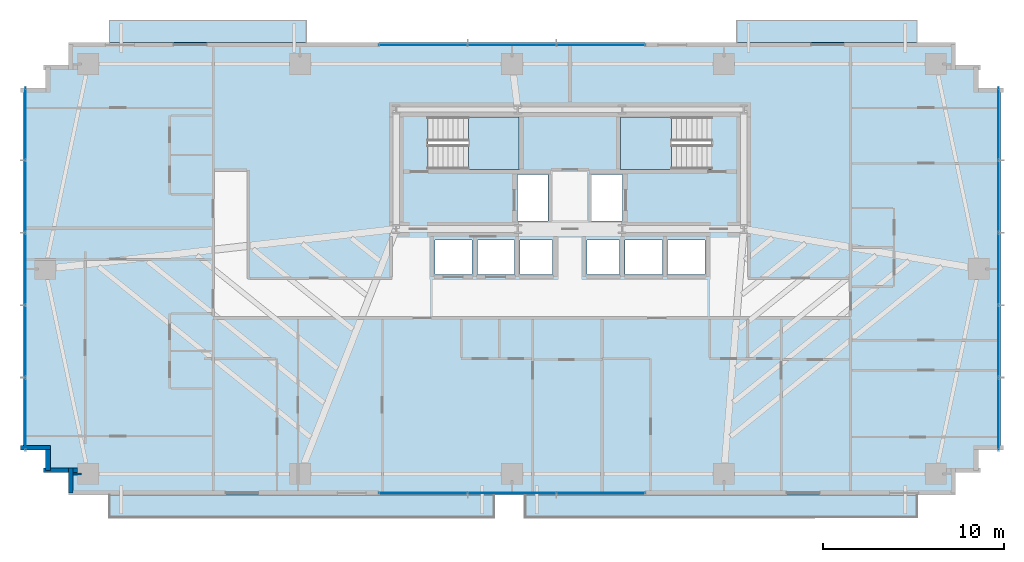
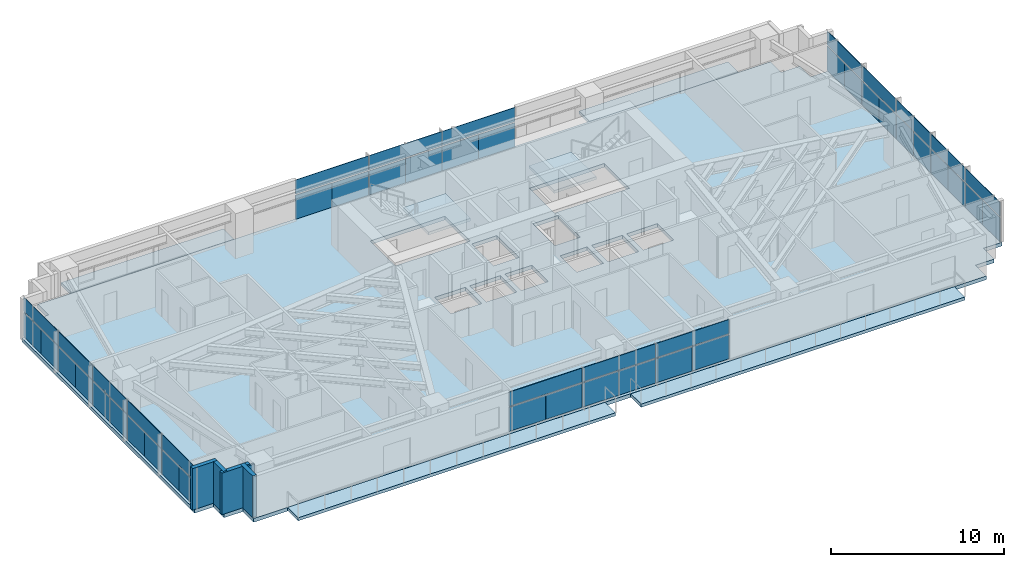
# One storey, part 18 of 25: 48 plates, 7 slabs, 5 walls, 6 elements without a shape of their own.
"""IFC4 building model written with IfcOpenShell, lengths in metres."""

from ifc_helpers import new_model, si_unit, direction, frame, frame_2d, origin, origin_2d, place, context, subcontext, project, spatial, polyline, rectangle, outline, extrude, source, transform, mapped, material, layer, layer_set, type_object, type_shapes, element, aggregate, save


model = new_model("IFC4")

# Units and contexts
model_context = context("Model", 3, precision=1e-05, world=origin(), true_north=direction((0.0, 1.0)))
body_context = subcontext(model_context, "Body", "Model", "MODEL_VIEW")
ifc_project = project(units=[si_unit("LENGTHUNIT", "METRE"), si_unit("AREAUNIT", "SQUARE_METRE"), si_unit("VOLUMEUNIT", "CUBIC_METRE"), si_unit("PLANEANGLEUNIT", "RADIAN"), si_unit("MASSUNIT", "GRAM", prefix="KILO")], contexts=[model_context])

# Site, building, storey
site_placement = place(None, origin())
site = spatial("IfcSite", under=ifc_project, at=site_placement, CompositionType="ELEMENT")
building_placement = place(site_placement, origin())
building = spatial("IfcBuilding", under=site, at=building_placement, Name="Astriad Promenade Condominiums", CompositionType="ELEMENT")
storey_placement = place(building_placement, frame((0.0, 0.0, 39.0)))
storey = spatial("IfcBuildingStorey", under=building, at=storey_placement, Name="L10", CompositionType="ELEMENT", Elevation=39.0)

# Slab
ifc_material_1 = material(Name="Concrete C50/60", Category="concrete")
ifc_layer_1 = layer(ifc_material_1, 0.260009765625)
ifc_layer_set_1 = layer_set([ifc_layer_1], Name="Concrete C50/60")
slab_type_1 = type_object("IfcSlabType", Name="CONCRETE TOWER FLOOR SLAB 260", PredefinedType="FLOOR", material=ifc_layer_set_1)
slab_1_placement = place(storey_placement, frame((0.0, 0.0, -0.260009765625)))
element("IfcSlab", 1, at=slab_1_placement, inside=storey, type_object=slab_type_1, Name="Structural Floor Slab (L10)", PredefinedType="FLOOR", context=body_context, shape_type="SweptSolid", body=[
    extrude(outline(polyline([(8.300048828125, 2.699951171875), (57.300048828125, 2.699951171875), (57.300048828125, 3.949951171875), (58.550048828125, 3.949951171875), (58.550048828125, 5.199951171875), (59.800048828125, 5.199951171875), (59.800048828125, 25.199951171875), (58.550048828125, 25.199951171875), (58.550048828125, 26.449951171875), (57.300048828125, 26.449951171875), (57.300048828125, 27.699951171875), (8.300048828125, 27.699951171875), (8.300048828125, 26.449951171875), (7.050048828125, 26.449951171875), (7.050048828125, 25.199951171875), (5.800048828125, 25.199951171875), (5.800048828125, 5.199951171875), (7.050048828125, 5.199951171875), (7.050048828125, 3.949951171875), (8.300048828125, 3.949951171875), (8.300048828125, 2.699951171875)]), holes=[polyline([(28.175048828125, 20.699951171875), (33.175048828125, 20.699951171875), (33.175048828125, 23.60009765625), (28.175048828125, 23.60009765625), (28.175048828125, 20.699951171875)]), polyline([(38.824951171875, 20.699951171875), (43.824951171875, 20.699951171875), (43.824951171875, 23.60009765625), (38.824951171875, 23.60009765625), (38.824951171875, 20.699951171875)]), polyline([(33.10009765625, 17.85009765625), (34.800048828125, 17.85009765625), (34.800048828125, 20.39990234375), (33.10009765625, 20.39990234375), (33.10009765625, 17.85009765625)]), polyline([(37.199951171875, 17.85009765625), (38.89990234375, 17.85009765625), (38.89990234375, 20.39990234375), (37.199951171875, 20.39990234375), (37.199951171875, 17.85009765625)]), polyline([(28.550048828125, 14.89990234375), (30.60009765625, 14.89990234375), (30.60009765625, 16.800048828125), (28.550048828125, 16.800048828125), (28.550048828125, 14.89990234375)]), polyline([(30.89990234375, 14.89990234375), (32.949951171875, 14.89990234375), (32.949951171875, 16.800048828125), (30.89990234375, 16.800048828125), (30.89990234375, 14.89990234375)]), polyline([(33.25, 14.89990234375), (35.050048828125, 14.89990234375), (35.050048828125, 16.800048828125), (33.25, 16.800048828125), (33.25, 14.89990234375)]), polyline([(36.949951171875, 14.89990234375), (38.75, 14.89990234375), (38.75, 16.800048828125), (36.949951171875, 16.800048828125), (36.949951171875, 14.89990234375)]), polyline([(39.050048828125, 14.89990234375), (41.10009765625, 14.89990234375), (41.10009765625, 16.800048828125), (39.050048828125, 16.800048828125), (39.050048828125, 14.89990234375)]), polyline([(41.39990234375, 14.89990234375), (43.449951171875, 14.89990234375), (43.449951171875, 16.800048828125), (41.39990234375, 16.800048828125), (41.39990234375, 14.89990234375)])]), origin(), (0.0, 0.0, 1.0), 0.260009765625),
])

# Stair, slab
stair_type = type_object("IfcStairType", Name="STR-CORE-1350", PredefinedType="HALF_TURN_STAIR", material=ifc_material_1)
stair_1_placement = place(storey_placement, origin())
stair_1 = element("IfcStair", 2, at=stair_1_placement, inside=storey, type_object=stair_type, Name="L10 Enclosed Core Exit Stair ST-1", PredefinedType="HALF_TURN_STAIR")
ifc_layer_2 = layer(ifc_material_1, 0.219970703125)
ifc_layer_set_2 = layer_set([ifc_layer_2], Name="Concrete C50/60")
slab_type_2 = type_object("IfcSlabType", Name="SLB-LANDING-220", PredefinedType="LANDING", material=ifc_layer_set_2)
slab_2_placement = place(storey_placement, frame((0.0, 0.0, 1.39990234375)))
slab_2 = element("IfcSlab", 3, at=slab_2_placement, type_object=slab_type_2, Name="ST-1 landing 1", PredefinedType="LANDING", context=body_context, shape_type="SweptSolid", body=[
    extrude(outline(polyline([(30.389892578125, 20.699951171875), (33.199951171875, 20.699951171875), (33.199951171875, 23.60009765625), (30.389892578125, 23.60009765625), (30.389892578125, 20.699951171875)])), origin(), (0.0, 0.0, 1.0), 0.2001953125),
])
aggregate(stair_1, [slab_2])

stair_2_placement = place(storey_placement, origin())
stair_2 = element("IfcStair", 4, at=stair_2_placement, inside=storey, type_object=stair_type, Name="L10 Enclosed Core Exit Stair ST-2", PredefinedType="HALF_TURN_STAIR")
slab_3_placement = place(storey_placement, frame((0.0, 0.0, 1.39990234375)))
slab_3 = element("IfcSlab", 5, at=slab_3_placement, type_object=slab_type_2, Name="ST-2 landing 1", PredefinedType="LANDING", context=body_context, shape_type="SweptSolid", body=[
    extrude(outline(polyline([(41.610107421875, 23.60009765625), (38.800048828125, 23.60009765625), (38.800048828125, 20.699951171875), (41.610107421875, 20.699951171875), (41.610107421875, 23.60009765625)])), origin(), (0.0, 0.0, 1.0), 0.2001953125),
])
aggregate(stair_2, [slab_3])

# Slabs
ifc_material_2 = material(Name="Precast concrete C50/60", Category="concrete")
ifc_layer_3 = layer(ifc_material_2, 0.219970703125)
ifc_layer_set_3 = layer_set([ifc_layer_3], Name="Precast concrete C50/60")
slab_type_3 = type_object("IfcSlabType", Name="WHITE PRECAST CONCRETE WAVE BALCONY SLAB 220", PredefinedType="FLOOR", material=ifc_layer_set_3)
slab_4_placement = place(storey_placement, frame((0.0, 0.0, -0.219970703125)))
element("IfcSlab", 6, at=slab_4_placement, inside=storey, type_object=slab_type_3, Name="White Precast Wave Balcony Slab BAL-L10-SW", PredefinedType="FLOOR", context=body_context, shape_type="SweptSolid", body=[
    extrude(outline(polyline([(31.805908203125, 1.47998046875), (10.572998046875, 1.47998046875), (10.572998046875, 2.697998046875), (31.805908203125, 2.697998046875), (31.805908203125, 1.47998046875)])), origin(), (0.0, 0.0, 1.0), 0.219970703125),
])
slab_5_placement = place(storey_placement, frame((0.0, 0.0, -0.219970703125)))
element("IfcSlab", 7, at=slab_5_placement, inside=storey, type_object=slab_type_3, Name="White Precast Wave Balcony Slab BAL-L10-SE", PredefinedType="FLOOR", context=body_context, shape_type="SweptSolid", body=[
    extrude(outline(polyline([(55.1640625, 1.47998046875), (33.52197265625, 1.47998046875), (33.52197265625, 2.697998046875), (55.1640625, 2.697998046875), (55.1640625, 1.47998046875)])), origin(), (0.0, 0.0, 1.0), 0.219970703125),
])
slab_6_placement = place(storey_placement, frame((0.0, 0.0, -0.219970703125)))
element("IfcSlab", 8, at=slab_6_placement, inside=storey, type_object=slab_type_3, Name="White Precast Wave Balcony Slab BAL-L10-NW", PredefinedType="FLOOR", context=body_context, shape_type="SweptSolid", body=[
    extrude(outline(polyline([(10.572998046875, 28.919921875), (21.429931640625, 28.919921875), (21.429931640625, 27.701904296875), (10.572998046875, 27.701904296875), (10.572998046875, 28.919921875)])), origin(), (0.0, 0.0, 1.0), 0.219970703125),
])
slab_7_placement = place(storey_placement, frame((0.0, 0.0, -0.219970703125)))
element("IfcSlab", 9, at=slab_7_placement, inside=storey, type_object=slab_type_3, Name="White Precast Wave Balcony Slab BAL-L10-NE", PredefinedType="FLOOR", context=body_context, shape_type="SweptSolid", body=[
    extrude(outline(polyline([(45.2099609375, 28.919921875), (55.1640625, 28.919921875), (55.1640625, 27.701904296875), (45.2099609375, 27.701904296875), (45.2099609375, 28.919921875)])), origin(), (0.0, 0.0, 1.0), 0.219970703125),
])

# Curtain wall, plates
ifc_material_3 = material(Name="Anodised aluminium Black Dark Glass Unitised", Category="aluminium")
curtain_wall_type = type_object("IfcCurtainWallType", Name="CW-B1-DARK", PredefinedType="USERDEFINED", material=ifc_material_3)
curtain_wall_1_placement = place(storey_placement, origin())
curtain_wall_1 = element("IfcCurtainWall", 10, at=curtain_wall_1_placement, inside=storey, type_object=curtain_wall_type, Name="CW-L10-W", ObjectType="UNITISED_CURTAIN_WALL", PredefinedType="USERDEFINED")
ifc_material_4 = material(Name="Dark Tinted Low-E Laminated Glass", Category="glass")
ifc_layer_4 = layer(ifc_material_4, 0.035888671875)
ifc_layer_set_4 = layer_set([ifc_layer_4], Name="Dark Tinted Low-E Laminated Glass")
plate_type = type_object("IfcPlateType", Name="PNL-DARK-GLASS-36", PredefinedType="CURTAIN_PANEL", material=ifc_layer_set_4)
shared_shape_1 = source(origin(), body_context, "Body", "SweptSolid", [
    extrude(rectangle(XDim=1.988037109375, YDim=0.035888671875, at=origin_2d()), origin(), (0.0, 0.0, 1.0), 1.702880859375),
])
plate_1_placement = place(storey_placement, frame((5.929931640625, 6.199951171875, 0.080078125), z_axis=(0.0, 0.0, 1.0), x_axis=(0.0, 1.0, 0.0)))
plate_1 = element("IfcPlate", 11, at=plate_1_placement, type_object=plate_type, Name="CW-L10-W-PNL-00-VL", PredefinedType="CURTAIN_PANEL", context=body_context, shape_type="MappedRepresentation", body=[
    mapped(shared_shape_1, transform((0.0, 0.0, 0.0), scale=1.0)),
])
plate_2_placement = place(storey_placement, frame((5.929931640625, 8.199951171875, 0.080078125), z_axis=(0.0, 0.0, 1.0), x_axis=(0.0, 1.0, 0.0)))
plate_2 = element("IfcPlate", 12, at=plate_2_placement, type_object=plate_type, Name="CW-L10-W-PNL-00-VR", PredefinedType="CURTAIN_PANEL", context=body_context, shape_type="MappedRepresentation", body=[
    mapped(shared_shape_1, transform((0.0, 0.0, 0.0), scale=1.0)),
])
plate_3_placement = place(storey_placement, frame((5.929931640625, 10.199951171875, 0.080078125), z_axis=(0.0, 0.0, 1.0), x_axis=(0.0, 1.0, 0.0)))
plate_3 = element("IfcPlate", 13, at=plate_3_placement, type_object=plate_type, Name="CW-L10-W-PNL-01-VL", PredefinedType="CURTAIN_PANEL", context=body_context, shape_type="MappedRepresentation", body=[
    mapped(shared_shape_1, transform((0.0, 0.0, 0.0), scale=1.0)),
])
plate_4_placement = place(storey_placement, frame((5.929931640625, 12.199951171875, 0.080078125), z_axis=(0.0, 0.0, 1.0), x_axis=(0.0, 1.0, 0.0)))
plate_4 = element("IfcPlate", 14, at=plate_4_placement, type_object=plate_type, Name="CW-L10-W-PNL-01-VR", PredefinedType="CURTAIN_PANEL", context=body_context, shape_type="MappedRepresentation", body=[
    mapped(shared_shape_1, transform((0.0, 0.0, 0.0), scale=1.0)),
])
plate_5_placement = place(storey_placement, frame((5.929931640625, 14.199951171875, 0.080078125), z_axis=(0.0, 0.0, 1.0), x_axis=(0.0, 1.0, 0.0)))
plate_5 = element("IfcPlate", 15, at=plate_5_placement, type_object=plate_type, Name="CW-L10-W-PNL-02-VL", PredefinedType="CURTAIN_PANEL", context=body_context, shape_type="MappedRepresentation", body=[
    mapped(shared_shape_1, transform((0.0, 0.0, 0.0), scale=1.0)),
])
plate_6_placement = place(storey_placement, frame((5.929931640625, 16.199951171875, 0.080078125), z_axis=(0.0, 0.0, 1.0), x_axis=(0.0, 1.0, 0.0)))
plate_6 = element("IfcPlate", 16, at=plate_6_placement, type_object=plate_type, Name="CW-L10-W-PNL-02-VR", PredefinedType="CURTAIN_PANEL", context=body_context, shape_type="MappedRepresentation", body=[
    mapped(shared_shape_1, transform((0.0, 0.0, 0.0), scale=1.0)),
])
plate_7_placement = place(storey_placement, frame((5.929931640625, 18.199951171875, 0.080078125), z_axis=(0.0, 0.0, 1.0), x_axis=(0.0, 1.0, 0.0)))
plate_7 = element("IfcPlate", 17, at=plate_7_placement, type_object=plate_type, Name="CW-L10-W-PNL-03-VL", PredefinedType="CURTAIN_PANEL", context=body_context, shape_type="MappedRepresentation", body=[
    mapped(shared_shape_1, transform((0.0, 0.0, 0.0), scale=1.0)),
])
plate_8_placement = place(storey_placement, frame((5.929931640625, 20.199951171875, 0.080078125), z_axis=(0.0, 0.0, 1.0), x_axis=(0.0, 1.0, 0.0)))
plate_8 = element("IfcPlate", 18, at=plate_8_placement, type_object=plate_type, Name="CW-L10-W-PNL-03-VR", PredefinedType="CURTAIN_PANEL", context=body_context, shape_type="MappedRepresentation", body=[
    mapped(shared_shape_1, transform((0.0, 0.0, 0.0), scale=1.0)),
])
plate_9_placement = place(storey_placement, frame((5.929931640625, 22.199951171875, 0.080078125), z_axis=(0.0, 0.0, 1.0), x_axis=(0.0, 1.0, 0.0)))
plate_9 = element("IfcPlate", 19, at=plate_9_placement, type_object=plate_type, Name="CW-L10-W-PNL-04-VL", PredefinedType="CURTAIN_PANEL", context=body_context, shape_type="MappedRepresentation", body=[
    mapped(shared_shape_1, transform((0.0, 0.0, 0.0), scale=1.0)),
])
plate_10_placement = place(storey_placement, frame((5.929931640625, 24.199951171875, 0.080078125), z_axis=(0.0, 0.0, 1.0), x_axis=(0.0, 1.0, 0.0)))
plate_10 = element("IfcPlate", 20, at=plate_10_placement, type_object=plate_type, Name="CW-L10-W-PNL-04-VR", PredefinedType="CURTAIN_PANEL", context=body_context, shape_type="MappedRepresentation", body=[
    mapped(shared_shape_1, transform((0.0, 0.0, 0.0), scale=1.0)),
])

curtain_wall_2_placement = place(storey_placement, origin())
curtain_wall_2 = element("IfcCurtainWall", 21, at=curtain_wall_2_placement, inside=storey, type_object=curtain_wall_type, Name="CW-L10-E", ObjectType="UNITISED_CURTAIN_WALL", PredefinedType="USERDEFINED")
plate_11_placement = place(storey_placement, frame((59.669921875, 24.199951171875, 0.080078125), z_axis=(0.0, 0.0, 1.0), x_axis=(0.0, -1.0, 0.0)))
plate_11 = element("IfcPlate", 22, at=plate_11_placement, type_object=plate_type, Name="CW-L10-E-PNL-00-VL", PredefinedType="CURTAIN_PANEL", context=body_context, shape_type="MappedRepresentation", body=[
    mapped(shared_shape_1, transform((0.0, 0.0, 0.0), scale=1.0)),
])
plate_12_placement = place(storey_placement, frame((59.669921875, 22.199951171875, 0.080078125), z_axis=(0.0, 0.0, 1.0), x_axis=(0.0, -1.0, 0.0)))
plate_12 = element("IfcPlate", 23, at=plate_12_placement, type_object=plate_type, Name="CW-L10-E-PNL-00-VR", PredefinedType="CURTAIN_PANEL", context=body_context, shape_type="MappedRepresentation", body=[
    mapped(shared_shape_1, transform((0.0, 0.0, 0.0), scale=1.0)),
])
plate_13_placement = place(storey_placement, frame((59.669921875, 20.199951171875, 0.080078125), z_axis=(0.0, 0.0, 1.0), x_axis=(0.0, -1.0, 0.0)))
plate_13 = element("IfcPlate", 24, at=plate_13_placement, type_object=plate_type, Name="CW-L10-E-PNL-01-VL", PredefinedType="CURTAIN_PANEL", context=body_context, shape_type="MappedRepresentation", body=[
    mapped(shared_shape_1, transform((0.0, 0.0, 0.0), scale=1.0)),
])
plate_14_placement = place(storey_placement, frame((59.669921875, 18.199951171875, 0.080078125), z_axis=(0.0, 0.0, 1.0), x_axis=(0.0, -1.0, 0.0)))
plate_14 = element("IfcPlate", 25, at=plate_14_placement, type_object=plate_type, Name="CW-L10-E-PNL-01-VR", PredefinedType="CURTAIN_PANEL", context=body_context, shape_type="MappedRepresentation", body=[
    mapped(shared_shape_1, transform((0.0, 0.0, 0.0), scale=1.0)),
])
plate_15_placement = place(storey_placement, frame((59.669921875, 16.199951171875, 0.080078125), z_axis=(0.0, 0.0, 1.0), x_axis=(0.0, -1.0, 0.0)))
plate_15 = element("IfcPlate", 26, at=plate_15_placement, type_object=plate_type, Name="CW-L10-E-PNL-02-VL", PredefinedType="CURTAIN_PANEL", context=body_context, shape_type="MappedRepresentation", body=[
    mapped(shared_shape_1, transform((0.0, 0.0, 0.0), scale=1.0)),
])
plate_16_placement = place(storey_placement, frame((59.669921875, 14.199951171875, 0.080078125), z_axis=(0.0, 0.0, 1.0), x_axis=(0.0, -1.0, 0.0)))
plate_16 = element("IfcPlate", 27, at=plate_16_placement, type_object=plate_type, Name="CW-L10-E-PNL-02-VR", PredefinedType="CURTAIN_PANEL", context=body_context, shape_type="MappedRepresentation", body=[
    mapped(shared_shape_1, transform((0.0, 0.0, 0.0), scale=1.0)),
])
plate_17_placement = place(storey_placement, frame((59.669921875, 12.199951171875, 0.080078125), z_axis=(0.0, 0.0, 1.0), x_axis=(0.0, -1.0, 0.0)))
plate_17 = element("IfcPlate", 28, at=plate_17_placement, type_object=plate_type, Name="CW-L10-E-PNL-03-VL", PredefinedType="CURTAIN_PANEL", context=body_context, shape_type="MappedRepresentation", body=[
    mapped(shared_shape_1, transform((0.0, 0.0, 0.0), scale=1.0)),
])
plate_18_placement = place(storey_placement, frame((59.669921875, 10.199951171875, 0.080078125), z_axis=(0.0, 0.0, 1.0), x_axis=(0.0, -1.0, 0.0)))
plate_18 = element("IfcPlate", 29, at=plate_18_placement, type_object=plate_type, Name="CW-L10-E-PNL-03-VR", PredefinedType="CURTAIN_PANEL", context=body_context, shape_type="MappedRepresentation", body=[
    mapped(shared_shape_1, transform((0.0, 0.0, 0.0), scale=1.0)),
])
plate_19_placement = place(storey_placement, frame((59.669921875, 8.199951171875, 0.080078125), z_axis=(0.0, 0.0, 1.0), x_axis=(0.0, -1.0, 0.0)))
plate_19 = element("IfcPlate", 30, at=plate_19_placement, type_object=plate_type, Name="CW-L10-E-PNL-04-VL", PredefinedType="CURTAIN_PANEL", context=body_context, shape_type="MappedRepresentation", body=[
    mapped(shared_shape_1, transform((0.0, 0.0, 0.0), scale=1.0)),
])
plate_20_placement = place(storey_placement, frame((59.669921875, 6.199951171875, 0.080078125), z_axis=(0.0, 0.0, 1.0), x_axis=(0.0, -1.0, 0.0)))
plate_20 = element("IfcPlate", 31, at=plate_20_placement, type_object=plate_type, Name="CW-L10-E-PNL-04-VR", PredefinedType="CURTAIN_PANEL", context=body_context, shape_type="MappedRepresentation", body=[
    mapped(shared_shape_1, transform((0.0, 0.0, 0.0), scale=1.0)),
])

# Plate
shared_shape_2 = source(origin(), body_context, "Body", "SweptSolid", [
    extrude(rectangle(XDim=3.988037109375, YDim=0.035888671875, at=origin_2d()), origin(), (0.0, 0.0, 1.0), 0.997314453125),
])
plate_21_placement = place(storey_placement, frame((5.929931640625, 7.199951171875, 1.86279296875), z_axis=(0.0, 0.0, 1.0), x_axis=(0.0, 1.0, 0.0)))
plate_21 = element("IfcPlate", 32, at=plate_21_placement, type_object=plate_type, Name="CW-L10-W-PNL-00-S", PredefinedType="CURTAIN_PANEL", context=body_context, shape_type="MappedRepresentation", body=[
    mapped(shared_shape_2, transform((0.0, 0.0, 0.0), scale=1.0)),
])

plate_22_placement = place(storey_placement, frame((5.929931640625, 11.199951171875, 1.86279296875), z_axis=(0.0, 0.0, 1.0), x_axis=(0.0, 1.0, 0.0)))
plate_22 = element("IfcPlate", 33, at=plate_22_placement, type_object=plate_type, Name="CW-L10-W-PNL-01-S", PredefinedType="CURTAIN_PANEL", context=body_context, shape_type="MappedRepresentation", body=[
    mapped(shared_shape_2, transform((0.0, 0.0, 0.0), scale=1.0)),
])

plate_23_placement = place(storey_placement, frame((5.929931640625, 15.199951171875, 1.86279296875), z_axis=(0.0, 0.0, 1.0), x_axis=(0.0, 1.0, 0.0)))
plate_23 = element("IfcPlate", 34, at=plate_23_placement, type_object=plate_type, Name="CW-L10-W-PNL-02-S", PredefinedType="CURTAIN_PANEL", context=body_context, shape_type="MappedRepresentation", body=[
    mapped(shared_shape_2, transform((0.0, 0.0, 0.0), scale=1.0)),
])

plate_24_placement = place(storey_placement, frame((5.929931640625, 19.199951171875, 1.86279296875), z_axis=(0.0, 0.0, 1.0), x_axis=(0.0, 1.0, 0.0)))
plate_24 = element("IfcPlate", 35, at=plate_24_placement, type_object=plate_type, Name="CW-L10-W-PNL-03-S", PredefinedType="CURTAIN_PANEL", context=body_context, shape_type="MappedRepresentation", body=[
    mapped(shared_shape_2, transform((0.0, 0.0, 0.0), scale=1.0)),
])

plate_25_placement = place(storey_placement, frame((5.929931640625, 23.199951171875, 1.86279296875), z_axis=(0.0, 0.0, 1.0), x_axis=(0.0, 1.0, 0.0)))
plate_25 = element("IfcPlate", 36, at=plate_25_placement, type_object=plate_type, Name="CW-L10-W-PNL-04-S", PredefinedType="CURTAIN_PANEL", context=body_context, shape_type="MappedRepresentation", body=[
    mapped(shared_shape_2, transform((0.0, 0.0, 0.0), scale=1.0)),
])

aggregate(curtain_wall_1, [plate_1, plate_2, plate_21, plate_3, plate_4, plate_22, plate_5, plate_6, plate_23, plate_7, plate_8, plate_24, plate_9, plate_10, plate_25])

plate_26_placement = place(storey_placement, frame((59.669921875, 23.199951171875, 1.86279296875), z_axis=(0.0, 0.0, 1.0), x_axis=(0.0, -1.0, 0.0)))
plate_26 = element("IfcPlate", 37, at=plate_26_placement, type_object=plate_type, Name="CW-L10-E-PNL-00-S", PredefinedType="CURTAIN_PANEL", context=body_context, shape_type="MappedRepresentation", body=[
    mapped(shared_shape_2, transform((0.0, 0.0, 0.0), scale=1.0)),
])

plate_27_placement = place(storey_placement, frame((59.669921875, 19.199951171875, 1.86279296875), z_axis=(0.0, 0.0, 1.0), x_axis=(0.0, -1.0, 0.0)))
plate_27 = element("IfcPlate", 38, at=plate_27_placement, type_object=plate_type, Name="CW-L10-E-PNL-01-S", PredefinedType="CURTAIN_PANEL", context=body_context, shape_type="MappedRepresentation", body=[
    mapped(shared_shape_2, transform((0.0, 0.0, 0.0), scale=1.0)),
])

plate_28_placement = place(storey_placement, frame((59.669921875, 15.199951171875, 1.86279296875), z_axis=(0.0, 0.0, 1.0), x_axis=(0.0, -1.0, 0.0)))
plate_28 = element("IfcPlate", 39, at=plate_28_placement, type_object=plate_type, Name="CW-L10-E-PNL-02-S", PredefinedType="CURTAIN_PANEL", context=body_context, shape_type="MappedRepresentation", body=[
    mapped(shared_shape_2, transform((0.0, 0.0, 0.0), scale=1.0)),
])

plate_29_placement = place(storey_placement, frame((59.669921875, 11.199951171875, 1.86279296875), z_axis=(0.0, 0.0, 1.0), x_axis=(0.0, -1.0, 0.0)))
plate_29 = element("IfcPlate", 40, at=plate_29_placement, type_object=plate_type, Name="CW-L10-E-PNL-03-S", PredefinedType="CURTAIN_PANEL", context=body_context, shape_type="MappedRepresentation", body=[
    mapped(shared_shape_2, transform((0.0, 0.0, 0.0), scale=1.0)),
])

plate_30_placement = place(storey_placement, frame((59.669921875, 7.199951171875, 1.86279296875), z_axis=(0.0, 0.0, 1.0), x_axis=(0.0, -1.0, 0.0)))
plate_30 = element("IfcPlate", 41, at=plate_30_placement, type_object=plate_type, Name="CW-L10-E-PNL-04-S", PredefinedType="CURTAIN_PANEL", context=body_context, shape_type="MappedRepresentation", body=[
    mapped(shared_shape_2, transform((0.0, 0.0, 0.0), scale=1.0)),
])

aggregate(curtain_wall_2, [plate_11, plate_12, plate_26, plate_13, plate_14, plate_27, plate_15, plate_16, plate_28, plate_17, plate_18, plate_29, plate_19, plate_20, plate_30])

# Curtain wall, plates
curtain_wall_3_placement = place(storey_placement, origin())
curtain_wall_3 = element("IfcCurtainWall", 42, at=curtain_wall_3_placement, inside=storey, type_object=curtain_wall_type, Name="CW-L10-N", ObjectType="UNITISED_CURTAIN_WALL", PredefinedType="USERDEFINED")
shared_shape_3 = source(origin(), body_context, "Body", "SweptSolid", [
    extrude(rectangle(XDim=2.43798828125, YDim=0.035888671875, at=origin_2d()), origin(), (0.0, 0.0, 1.0), 1.702880859375),
])
plate_31_placement = place(storey_placement, frame((26.675048828125, 27.570068359375, 0.080078125), z_axis=(0.0, 0.0, 1.0), x_axis=(1.0, 0.0, 0.0)))
plate_31 = element("IfcPlate", 43, at=plate_31_placement, type_object=plate_type, Name="CW-L10-N-PNL-00-VL", PredefinedType="CURTAIN_PANEL", context=body_context, shape_type="MappedRepresentation", body=[
    mapped(shared_shape_3, transform((0.0, 0.0, 0.0), scale=1.0)),
])
plate_32_placement = place(storey_placement, frame((29.125, 27.570068359375, 0.080078125), z_axis=(0.0, 0.0, 1.0), x_axis=(1.0, 0.0, 0.0)))
plate_32 = element("IfcPlate", 44, at=plate_32_placement, type_object=plate_type, Name="CW-L10-N-PNL-00-VR", PredefinedType="CURTAIN_PANEL", context=body_context, shape_type="MappedRepresentation", body=[
    mapped(shared_shape_3, transform((0.0, 0.0, 0.0), scale=1.0)),
])
plate_33_placement = place(storey_placement, frame((31.574951171875, 27.570068359375, 0.080078125), z_axis=(0.0, 0.0, 1.0), x_axis=(1.0, 0.0, 0.0)))
plate_33 = element("IfcPlate", 45, at=plate_33_placement, type_object=plate_type, Name="CW-L10-N-PNL-01-VL", PredefinedType="CURTAIN_PANEL", context=body_context, shape_type="MappedRepresentation", body=[
    mapped(shared_shape_3, transform((0.0, 0.0, 0.0), scale=1.0)),
])
plate_34_placement = place(storey_placement, frame((34.02490234375, 27.570068359375, 0.080078125), z_axis=(0.0, 0.0, 1.0), x_axis=(1.0, 0.0, 0.0)))
plate_34 = element("IfcPlate", 46, at=plate_34_placement, type_object=plate_type, Name="CW-L10-N-PNL-01-VR", PredefinedType="CURTAIN_PANEL", context=body_context, shape_type="MappedRepresentation", body=[
    mapped(shared_shape_3, transform((0.0, 0.0, 0.0), scale=1.0)),
])
plate_35_placement = place(storey_placement, frame((36.47509765625, 27.570068359375, 0.080078125), z_axis=(0.0, 0.0, 1.0), x_axis=(1.0, 0.0, 0.0)))
plate_35 = element("IfcPlate", 47, at=plate_35_placement, type_object=plate_type, Name="CW-L10-N-PNL-02-VL", PredefinedType="CURTAIN_PANEL", context=body_context, shape_type="MappedRepresentation", body=[
    mapped(shared_shape_3, transform((0.0, 0.0, 0.0), scale=1.0)),
])
plate_36_placement = place(storey_placement, frame((38.925048828125, 27.570068359375, 0.080078125), z_axis=(0.0, 0.0, 1.0), x_axis=(1.0, 0.0, 0.0)))
plate_36 = element("IfcPlate", 48, at=plate_36_placement, type_object=plate_type, Name="CW-L10-N-PNL-02-VR", PredefinedType="CURTAIN_PANEL", context=body_context, shape_type="MappedRepresentation", body=[
    mapped(shared_shape_3, transform((0.0, 0.0, 0.0), scale=1.0)),
])

curtain_wall_4_placement = place(storey_placement, origin())
curtain_wall_4 = element("IfcCurtainWall", 49, at=curtain_wall_4_placement, inside=storey, type_object=curtain_wall_type, Name="CW-L10-S", ObjectType="UNITISED_CURTAIN_WALL", PredefinedType="USERDEFINED")
plate_37_placement = place(storey_placement, frame((38.925048828125, 2.830078125, 0.080078125), z_axis=(0.0, 0.0, 1.0), x_axis=(-1.0, 0.0, 0.0)))
plate_37 = element("IfcPlate", 50, at=plate_37_placement, type_object=plate_type, Name="CW-L10-S-PNL-00-VL", PredefinedType="CURTAIN_PANEL", context=body_context, shape_type="MappedRepresentation", body=[
    mapped(shared_shape_3, transform((0.0, 0.0, 0.0), scale=1.0)),
])
plate_38_placement = place(storey_placement, frame((36.47509765625, 2.830078125, 0.080078125), z_axis=(0.0, 0.0, 1.0), x_axis=(-1.0, 0.0, 0.0)))
plate_38 = element("IfcPlate", 51, at=plate_38_placement, type_object=plate_type, Name="CW-L10-S-PNL-00-VR", PredefinedType="CURTAIN_PANEL", context=body_context, shape_type="MappedRepresentation", body=[
    mapped(shared_shape_3, transform((0.0, 0.0, 0.0), scale=1.0)),
])
plate_39_placement = place(storey_placement, frame((34.02490234375, 2.830078125, 0.080078125), z_axis=(0.0, 0.0, 1.0), x_axis=(-1.0, 0.0, 0.0)))
plate_39 = element("IfcPlate", 52, at=plate_39_placement, type_object=plate_type, Name="CW-L10-S-PNL-01-VL", PredefinedType="CURTAIN_PANEL", context=body_context, shape_type="MappedRepresentation", body=[
    mapped(shared_shape_3, transform((0.0, 0.0, 0.0), scale=1.0)),
])
plate_40_placement = place(storey_placement, frame((31.574951171875, 2.830078125, 0.080078125), z_axis=(0.0, 0.0, 1.0), x_axis=(-1.0, 0.0, 0.0)))
plate_40 = element("IfcPlate", 53, at=plate_40_placement, type_object=plate_type, Name="CW-L10-S-PNL-01-VR", PredefinedType="CURTAIN_PANEL", context=body_context, shape_type="MappedRepresentation", body=[
    mapped(shared_shape_3, transform((0.0, 0.0, 0.0), scale=1.0)),
])
plate_41_placement = place(storey_placement, frame((29.125, 2.830078125, 0.080078125), z_axis=(0.0, 0.0, 1.0), x_axis=(-1.0, 0.0, 0.0)))
plate_41 = element("IfcPlate", 54, at=plate_41_placement, type_object=plate_type, Name="CW-L10-S-PNL-02-VL", PredefinedType="CURTAIN_PANEL", context=body_context, shape_type="MappedRepresentation", body=[
    mapped(shared_shape_3, transform((0.0, 0.0, 0.0), scale=1.0)),
])
plate_42_placement = place(storey_placement, frame((26.675048828125, 2.830078125, 0.080078125), z_axis=(0.0, 0.0, 1.0), x_axis=(-1.0, 0.0, 0.0)))
plate_42 = element("IfcPlate", 55, at=plate_42_placement, type_object=plate_type, Name="CW-L10-S-PNL-02-VR", PredefinedType="CURTAIN_PANEL", context=body_context, shape_type="MappedRepresentation", body=[
    mapped(shared_shape_3, transform((0.0, 0.0, 0.0), scale=1.0)),
])

# Plate
shared_shape_4 = source(origin(), body_context, "Body", "SweptSolid", [
    extrude(rectangle(XDim=4.887939453125, YDim=0.035888671875, at=origin_2d()), origin(), (0.0, 0.0, 1.0), 0.997314453125),
])
type_shapes(plate_type, [shared_shape_1, shared_shape_2, shared_shape_3, shared_shape_4])
plate_43_placement = place(storey_placement, frame((27.89990234375, 27.570068359375, 1.86279296875), z_axis=(0.0, 0.0, 1.0), x_axis=(1.0, 0.0, 0.0)))
plate_43 = element("IfcPlate", 56, at=plate_43_placement, type_object=plate_type, Name="CW-L10-N-PNL-00-S", PredefinedType="CURTAIN_PANEL", context=body_context, shape_type="MappedRepresentation", body=[
    mapped(shared_shape_4, transform((0.0, 0.0, 0.0), scale=1.0)),
])

plate_44_placement = place(storey_placement, frame((32.800048828125, 27.570068359375, 1.86279296875), z_axis=(0.0, 0.0, 1.0), x_axis=(1.0, 0.0, 0.0)))
plate_44 = element("IfcPlate", 57, at=plate_44_placement, type_object=plate_type, Name="CW-L10-N-PNL-01-S", PredefinedType="CURTAIN_PANEL", context=body_context, shape_type="MappedRepresentation", body=[
    mapped(shared_shape_4, transform((0.0, 0.0, 0.0), scale=1.0)),
])

plate_45_placement = place(storey_placement, frame((37.699951171875, 27.570068359375, 1.86279296875), z_axis=(0.0, 0.0, 1.0), x_axis=(1.0, 0.0, 0.0)))
plate_45 = element("IfcPlate", 58, at=plate_45_placement, type_object=plate_type, Name="CW-L10-N-PNL-02-S", PredefinedType="CURTAIN_PANEL", context=body_context, shape_type="MappedRepresentation", body=[
    mapped(shared_shape_4, transform((0.0, 0.0, 0.0), scale=1.0)),
])

aggregate(curtain_wall_3, [plate_31, plate_32, plate_43, plate_33, plate_34, plate_44, plate_35, plate_36, plate_45])

plate_46_placement = place(storey_placement, frame((37.699951171875, 2.830078125, 1.86279296875), z_axis=(0.0, 0.0, 1.0), x_axis=(-1.0, 0.0, 0.0)))
plate_46 = element("IfcPlate", 59, at=plate_46_placement, type_object=plate_type, Name="CW-L10-S-PNL-00-S", PredefinedType="CURTAIN_PANEL", context=body_context, shape_type="MappedRepresentation", body=[
    mapped(shared_shape_4, transform((0.0, 0.0, 0.0), scale=1.0)),
])

plate_47_placement = place(storey_placement, frame((32.800048828125, 2.830078125, 1.86279296875), z_axis=(0.0, 0.0, 1.0), x_axis=(-1.0, 0.0, 0.0)))
plate_47 = element("IfcPlate", 60, at=plate_47_placement, type_object=plate_type, Name="CW-L10-S-PNL-01-S", PredefinedType="CURTAIN_PANEL", context=body_context, shape_type="MappedRepresentation", body=[
    mapped(shared_shape_4, transform((0.0, 0.0, 0.0), scale=1.0)),
])

plate_48_placement = place(storey_placement, frame((27.89990234375, 2.830078125, 1.86279296875), z_axis=(0.0, 0.0, 1.0), x_axis=(-1.0, 0.0, 0.0)))
plate_48 = element("IfcPlate", 61, at=plate_48_placement, type_object=plate_type, Name="CW-L10-S-PNL-02-S", PredefinedType="CURTAIN_PANEL", context=body_context, shape_type="MappedRepresentation", body=[
    mapped(shared_shape_4, transform((0.0, 0.0, 0.0), scale=1.0)),
])

aggregate(curtain_wall_4, [plate_37, plate_38, plate_46, plate_39, plate_40, plate_47, plate_41, plate_42, plate_48])

# Walls
ifc_layer_5 = layer(ifc_material_2, 0.260009765625)
ifc_layer_set_5 = layer_set([ifc_layer_5], Name="Precast concrete C50/60")
wall_type_1 = type_object("IfcWallType", Name="WALL-EXT-TWR-260", PredefinedType="STANDARD", material=ifc_layer_set_5)
wall_1_placement = place(storey_placement, frame((8.798095703125, 4.080078125, 0.0), z_axis=(0.0, 0.0, 1.0), x_axis=(-1.0, 0.0, 0.0)))
element("IfcWall", 62, at=wall_1_placement, inside=storey, type_object=wall_type_1, Name="W-SER-L10-00", PredefinedType="STANDARD", context=body_context, shape_type="SweptSolid", body=[
    extrude(rectangle(XDim=1.878173828125, YDim=0.260009765625, at=frame_2d((0.93896484375, 0.0))), origin(), (0.0, 0.0, 1.0), 2.93994140625),
])
wall_2_placement = place(storey_placement, frame((7.179931640625, 4.06494140625, 0.0), z_axis=(0.0, 0.0, 1.0), x_axis=(0.0, 1.0, 0.0)))
element("IfcWall", 63, at=wall_2_placement, inside=storey, type_object=wall_type_1, Name="W-SER-L10-01", PredefinedType="STANDARD", context=body_context, shape_type="SweptSolid", body=[
    extrude(rectangle(XDim=1.150146484375, YDim=0.260009765625, at=frame_2d((0.5751953125, 0.0))), origin(), (0.0, 0.0, 1.0), 2.93994140625),
])
wall_3_placement = place(storey_placement, frame((7.31005859375, 5.330078125, 0.0), z_axis=(0.0, 0.0, 1.0), x_axis=(-1.0, 0.0, 0.0)))
element("IfcWall", 64, at=wall_3_placement, inside=storey, type_object=wall_type_1, Name="W-SER-L10-02", PredefinedType="STANDARD", context=body_context, shape_type="SweptSolid", body=[
    extrude(rectangle(XDim=1.64013671875, YDim=0.260009765625, at=frame_2d((0.820068359375, 0.0))), origin(), (0.0, 0.0, 1.0), 2.93994140625),
])
wall_4_placement = place(storey_placement, frame((8.429931640625, 2.81494140625, 0.0), z_axis=(0.0, 0.0, 1.0), x_axis=(0.0, 1.0, 0.0)))
element("IfcWall", 65, at=wall_4_placement, inside=storey, type_object=wall_type_1, Name="W-SER-L10-19", PredefinedType="STANDARD", context=body_context, shape_type="SweptSolid", body=[
    extrude(rectangle(XDim=1.39501953125, YDim=0.260009765625, at=frame_2d((0.697509765625, 0.0))), origin(), (0.0, 0.0, 1.0), 2.93994140625),
])
ifc_material_5 = material(Name="Acoustic Metal-Stud Gypsum Partition")
ifc_layer_6 = layer(ifc_material_5, 0.1201171875)
ifc_layer_set_6 = layer_set([ifc_layer_6], Name="Acoustic Metal-Stud Gypsum Partition")
wall_type_2 = type_object("IfcWallType", Name="WALL-PART-120", PredefinedType="PARTITIONING", material=ifc_layer_set_6)
wall_5_placement = place(storey_placement, frame((9.02001953125, 3.8798828125, 0.0), z_axis=(0.0, 0.0, 1.0), x_axis=(-1.0, 0.0, 0.0)))
element("IfcWall", 66, at=wall_5_placement, inside=storey, type_object=wall_type_2, Name="PT-PIL-L10-PC01-8", PredefinedType="PARTITIONING", context=body_context, shape_type="SweptSolid", body=[
    extrude(rectangle(XDim=0.4580078125, YDim=0.1201171875, at=frame_2d((0.22900390625, 0.0))), origin(), (0.0, 0.0, 1.0), 2.93994140625),
])

save(model, "model.ifc")
